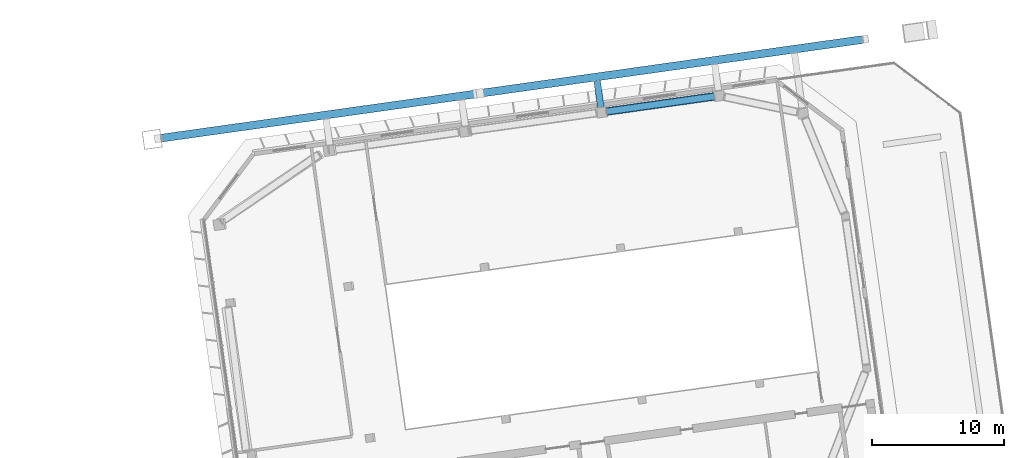
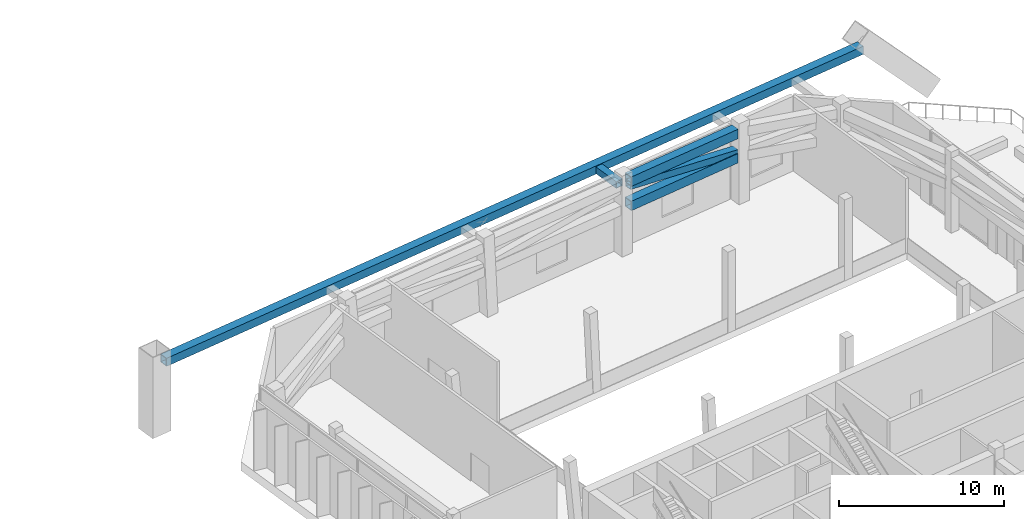
# One storey, part 12 of 29: 5 members.
"""IFC4 building model written with IfcOpenShell, lengths in metres."""

from ifc_helpers import new_model, si_unit, direction, frame, origin, origin_2d, place, context, subcontext, project, spatial, hollow_rectangle, extrude, material, material_profile, profile_set, type_object, element, save


model = new_model("IFC4")

# Units and contexts
model_context = context("Model", 3, precision=1e-05, world=origin(), true_north=direction((0.0, 1.0)))
body_context = subcontext(model_context, "Body", "Model", "MODEL_VIEW")
ifc_project = project(units=[si_unit("LENGTHUNIT", "METRE"), si_unit("AREAUNIT", "SQUARE_METRE"), si_unit("VOLUMEUNIT", "CUBIC_METRE"), si_unit("PLANEANGLEUNIT", "RADIAN"), si_unit("MASSUNIT", "GRAM", prefix="KILO")], contexts=[model_context])

# Site, building, storey
site_placement = place(None, origin())
site = spatial("IfcSite", under=ifc_project, at=site_placement, CompositionType="ELEMENT")
building_placement = place(site_placement, origin())
building = spatial("IfcBuilding", under=site, at=building_placement, Name="Mirante Cascada Hotel Towers", CompositionType="ELEMENT")
storey_placement = place(building_placement, frame((0.0, 0.0, 210.6)))
storey = spatial("IfcBuildingStorey", under=building, at=storey_placement, Name="L50", CompositionType="ELEMENT", Elevation=210.6)

# Members
ifc_material_1 = material(Name="Steel ASTM A572 Gr 50", Category="steel")
ifc_material_profile_1 = material_profile(ifc_material_1, hollow_rectangle(XDim=0.6, YDim=0.6, WallThickness=0.04, at=origin_2d()), Name="Box chord 600x600x40 ASTM A572 Gr 50")
ifc_profile_set_1 = profile_set([ifc_material_profile_1], Name="Steel ASTM A572 Gr 50")
member_type_1 = type_object("IfcMemberType", Name="Box chord 600x600x40 ASTM A572 Gr 50", PredefinedType="CHORD", material=ifc_profile_set_1)
member_1_placement = place(storey_placement, frame((20.8232, 17.9167, 4.85), z_axis=(0.9902682, 0.1391723, 0.0), x_axis=(-0.1391723, 0.9902682, 0.0)))
element("IfcMember", 1, at=member_1_placement, inside=storey, type_object=member_type_1, Name="exochord T2 L50 1", PredefinedType="CHORD", context=body_context, shape_type="SweptSolid", body=[
    extrude(hollow_rectangle(XDim=0.6, YDim=0.6, WallThickness=0.04, at=origin_2d()), origin(), (0.0, 0.0, 1.0), 53.6917),
])
ifc_material_2 = material(Name="Steel ASTM A572 Gr 50", Category="steel")
ifc_material_profile_2 = material_profile(ifc_material_2, hollow_rectangle(XDim=0.6, YDim=0.7, WallThickness=0.05, at=origin_2d()), Name="Box chord 700x600x50 ASTM A572 Gr 50")
ifc_profile_set_2 = profile_set([ifc_material_profile_2], Name="Steel ASTM A572 Gr 50")
member_type_2 = type_object("IfcMemberType", Name="Box chord 700x600x50 ASTM A572 Gr 50", PredefinedType="CHORD", material=ifc_profile_set_2)
for number, where, z_axis, x_axis, name in (
    (2, (54.5667, 19.9325, 5.2), (0.9902678, 0.1391749, 0.0), (-0.1391749, 0.9902678, 0.0), "belt T2 L50 10"),
    (3, (54.5667, 19.9325, 3.4), (0.9902678, 0.1391749, 0.0), (-0.1391749, 0.9902678, 0.0), "belt T2 L50 11"),
):
    element("IfcMember", number, at=place(storey_placement, frame(where, z_axis=z_axis, x_axis=x_axis)), inside=storey, type_object=member_type_2, Name=name, PredefinedType="CHORD", context=body_context, shape_type="SweptSolid", body=[
        extrude(hollow_rectangle(XDim=0.6, YDim=0.7, WallThickness=0.05, at=origin_2d()), origin(), (0.0, 0.0, 1.0), 8.24),
    ])
ifc_material_3 = material(Name="Steel ASTM A572 Gr 50", Category="steel")
ifc_material_profile_3 = material_profile(ifc_material_3, hollow_rectangle(XDim=0.5, YDim=0.5, WallThickness=0.035, at=origin_2d()), Name="Box diagonal 500x500x35 ASTM A572 Gr 50")
ifc_profile_set_3 = profile_set([ifc_material_profile_3], Name="Steel ASTM A572 Gr 50")
member_type_3 = type_object("IfcMemberType", Name="Box diagonal 500x500x35 ASTM A572 Gr 50", PredefinedType="BRACE", material=ifc_profile_set_3)
member_2_placement = place(storey_placement, frame((54.5667, 19.9325, 4.85), z_axis=(0.9815603, 0.1379511, -0.1323214), x_axis=(-0.1391749, 0.9902678, 0.0)))
element("IfcMember", 4, at=member_2_placement, inside=storey, type_object=member_type_3, Name="belt T2 L50 12", PredefinedType="BRACE", context=body_context, shape_type="SweptSolid", body=[
    extrude(hollow_rectangle(XDim=0.5, YDim=0.5, WallThickness=0.035, at=origin_2d()), origin(), (0.0, 0.0, 1.0), 8.3131),
])
ifc_material_4 = material(Name="Steel ASTM A572 Gr 50", Category="steel")
ifc_material_profile_4 = material_profile(ifc_material_4, hollow_rectangle(XDim=0.5, YDim=0.5, WallThickness=0.035, at=origin_2d()), Name="Box tie 500x500x35 ASTM A572 Gr 50")
ifc_profile_set_4 = profile_set([ifc_material_profile_4], Name="Steel ASTM A572 Gr 50")
member_type_4 = type_object("IfcMemberType", Name="Box tie 500x500x35 ASTM A572 Gr 50", PredefinedType="STRUT", material=ifc_profile_set_4)
member_3_placement = place(storey_placement, frame((54.1375, 20.2559, 4.85), z_axis=(-0.13917, 0.9902685, 0.0), x_axis=(-0.9902685, -0.13917, 0.0)))
element("IfcMember", 5, at=member_3_placement, inside=storey, type_object=member_type_4, Name="tie T2 L50 5", PredefinedType="STRUT", context=body_context, shape_type="SweptSolid", body=[
    extrude(hollow_rectangle(XDim=0.5, YDim=0.5, WallThickness=0.035, at=origin_2d()), origin(), (0.0, 0.0, 1.0), 2.04),
])

save(model, "model.ifc")
